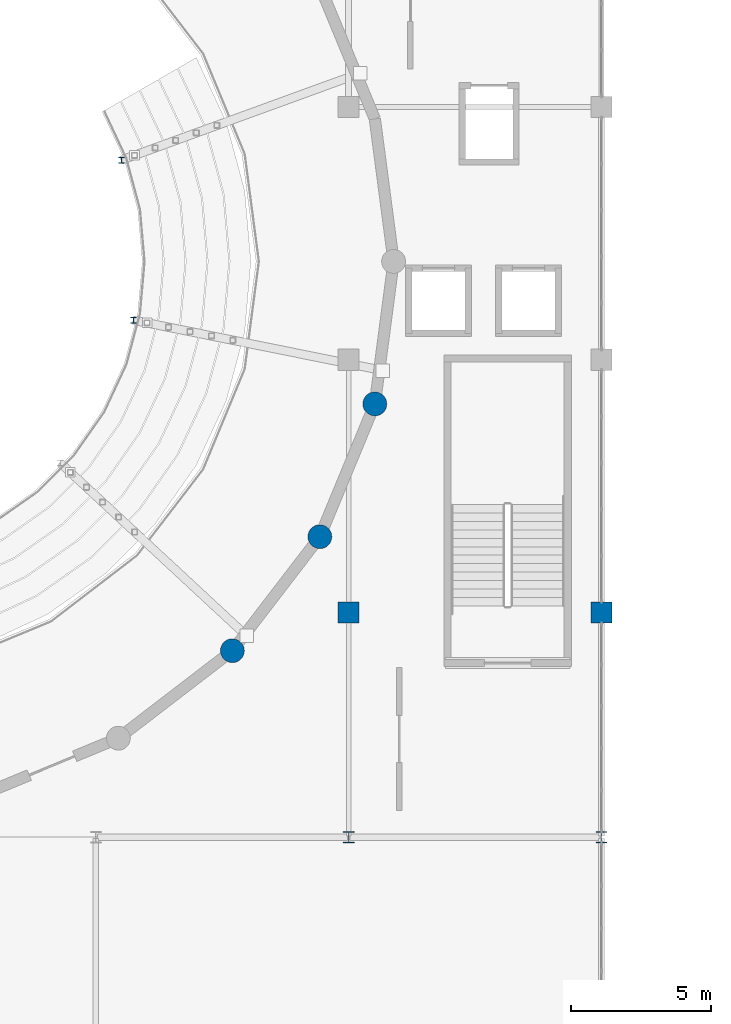
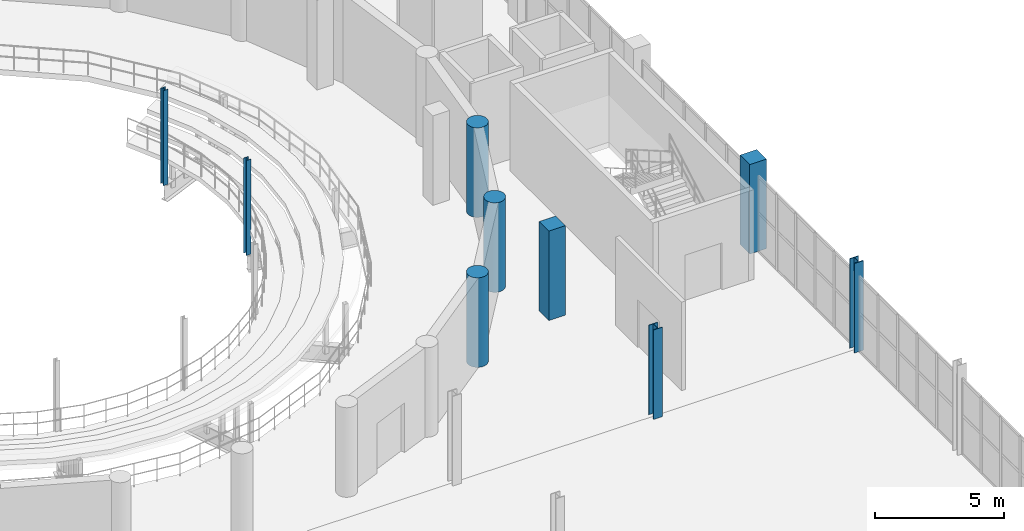
# One storey, part 10 of 85: 9 columns.
"""IFC4 building model written with IfcOpenShell, lengths in metres."""

from ifc_helpers import new_model, si_unit, direction, frame, origin, origin_2d, place, context, subcontext, project, spatial, rectangle, circle, i_section, extrude, material, material_profile, profile_set, type_object, element, save


model = new_model("IFC4")

# Units and contexts
model_context = context("Model", 3, precision=1e-05, world=origin(), true_north=direction((0.0, 1.0)))
body_context = subcontext(model_context, "Body", "Model", "MODEL_VIEW")
ifc_project = project(units=[si_unit("LENGTHUNIT", "METRE"), si_unit("AREAUNIT", "SQUARE_METRE"), si_unit("VOLUMEUNIT", "CUBIC_METRE"), si_unit("PLANEANGLEUNIT", "RADIAN"), si_unit("MASSUNIT", "GRAM", prefix="KILO")], contexts=[model_context])

# Site, building, storey
site_placement = place(None, origin())
site = spatial("IfcSite", under=ifc_project, at=site_placement, CompositionType="ELEMENT")
building_placement = place(site_placement, origin())
building = spatial("IfcBuilding", under=site, at=building_placement, Name="Marnock Terrace Opera House", CompositionType="ELEMENT")
storey_placement = place(building_placement, frame((0.0, 0.0, 10.199951171875)))
storey = spatial("IfcBuildingStorey", under=building, at=storey_placement, Name="L02", CompositionType="ELEMENT", Elevation=10.199951171875)

# Columns
ifc_material_1 = material(Name="Concrete N50 (f'c = 50 MPa)", Category="concrete")
ifc_material_profile_1 = material_profile(ifc_material_1, circle(Radius=0.425048828125, at=origin_2d()))
ifc_profile_set_1 = profile_set([ifc_material_profile_1], Name="Concrete N50 (f'c = 50 MPa)")
column_type_1 = type_object("IfcColumnType", Name="COL-DRUM-850", PredefinedType="COLUMN", material=ifc_profile_set_1)
for number, where, z_axis, x_axis, name in (
    (1, (95.85888671875, 46.64111328125, 0.0), (0.0, 0.0, 1.0), (1.0, 0.0, 0.0), "L02 auditorium drum pier 22"),
    (2, (98.97412109375, 50.699951171875, 0.0), (0.0, 0.0, 1.0), (1.0, 0.0, 0.0), "L02 auditorium drum pier 23"),
    (3, (100.931884765625, 55.427001953125, 0.0), (0.0, 0.0, 1.0), (1.0, 0.0, 0.0), "L02 auditorium drum pier 24"),
):
    element("IfcColumn", number, at=place(storey_placement, frame(where, z_axis=z_axis, x_axis=x_axis)), inside=storey, type_object=column_type_1, Name=name, PredefinedType="COLUMN", context=body_context, shape_type="SweptSolid", body=[
        extrude(circle(Radius=0.425048828125, at=origin_2d()), origin(), (0.0, 0.0, 1.0), 4.239990234375),
    ])
ifc_material_profile_2 = material_profile(ifc_material_1, rectangle(XDim=0.75, YDim=0.75, at=origin_2d()))
ifc_profile_set_2 = profile_set([ifc_material_profile_2], Name="Concrete N50 (f'c = 50 MPa)")
column_type_2 = type_object("IfcColumnType", Name="COL-RC750", PredefinedType="COLUMN", material=ifc_profile_set_2)
for number, where, z_axis, x_axis, name in (
    (4, (100.0, 48.0, 0.0), (0.0, 0.0, 1.0), (1.0, 0.0, 0.0), "L02 column at (100.0, 48.0)"),
    (5, (109.0, 48.0, 0.0), (0.0, 0.0, 1.0), (1.0, 0.0, 0.0), "L02 column at (109.0, 48.0)"),
):
    element("IfcColumn", number, at=place(storey_placement, frame(where, z_axis=z_axis, x_axis=x_axis)), inside=storey, type_object=column_type_2, Name=name, PredefinedType="COLUMN", context=body_context, shape_type="SweptSolid", body=[
        extrude(rectangle(XDim=0.75, YDim=0.75, at=origin_2d()), origin(), (0.0, 0.0, 1.0), 4.239990234375),
    ])
ifc_material_2 = material(Name="Steel Grade 350 (AS/NZS 3679.1)", Category="steel")
ifc_material_profile_3 = material_profile(ifc_material_2, i_section(OverallWidth=0.205078125, OverallDepth=0.209716796875, WebThickness=0.00927734375, FlangeThickness=0.01416015625, FilletRadius=0.011474609375, at=origin_2d()))
ifc_profile_set_3 = profile_set([ifc_material_profile_3], Name="Steel Grade 350 (AS/NZS 3679.1)")
column_type_3 = type_object("IfcColumnType", Name="COL-UC200", PredefinedType="COLUMN", material=ifc_profile_set_3)
for number, where, z_axis, x_axis, name in (
    (6, (92.3408203125, 58.40966796875, -0.81005859375), (0.0, 0.0, 1.0), (1.0, 0.0, 0.0), "L02 Auditorium balcony-front column 7"),
    (7, (91.913818359375, 64.1083984375, -0.81005859375), (0.0, 0.0, 1.0), (1.0, 0.0, 0.0), "L02 Auditorium balcony-front column 8"),
):
    element("IfcColumn", number, at=place(storey_placement, frame(where, z_axis=z_axis, x_axis=x_axis)), inside=storey, type_object=column_type_3, Name=name, PredefinedType="COLUMN", context=body_context, shape_type="SweptSolid", body=[
        extrude(i_section(OverallWidth=0.205078125, OverallDepth=0.209716796875, WebThickness=0.00927734375, FlangeThickness=0.01416015625, FilletRadius=0.011474609375, at=origin_2d()), origin(), (0.0, 0.0, 1.0), 4.5),
    ])
ifc_material_3 = material(Name="Steel Grade 350 Welded (AS/NZS 3679.2)", Category="steel")
ifc_material_profile_4 = material_profile(ifc_material_3, i_section(OverallWidth=0.39990234375, OverallDepth=0.39990234375, WebThickness=0.02001953125, FlangeThickness=0.031982421875, at=origin_2d()))
ifc_profile_set_4 = profile_set([ifc_material_profile_4], Name="Steel Grade 350 Welded (AS/NZS 3679.2)")
column_type_4 = type_object("IfcColumnType", Name="COL-WC400", PredefinedType="COLUMN", material=ifc_profile_set_4)
for number, where, z_axis, x_axis, name in (
    (8, (100.0, 40.0, 0.0), (0.0, 0.0, 1.0), (1.0, 0.0, 0.0), "L02 column at (100.0, 40.0)"),
    (9, (109.0, 40.0, 0.0), (0.0, 0.0, 1.0), (1.0, 0.0, 0.0), "L02 column at (109.0, 40.0)"),
):
    element("IfcColumn", number, at=place(storey_placement, frame(where, z_axis=z_axis, x_axis=x_axis)), inside=storey, type_object=column_type_4, Name=name, PredefinedType="COLUMN", context=body_context, shape_type="SweptSolid", body=[
        extrude(i_section(OverallWidth=0.39990234375, OverallDepth=0.39990234375, WebThickness=0.02001953125, FlangeThickness=0.031982421875, at=origin_2d()), origin(), (0.0, 0.0, 1.0), 4.239990234375),
    ])

save(model, "model.ifc")
